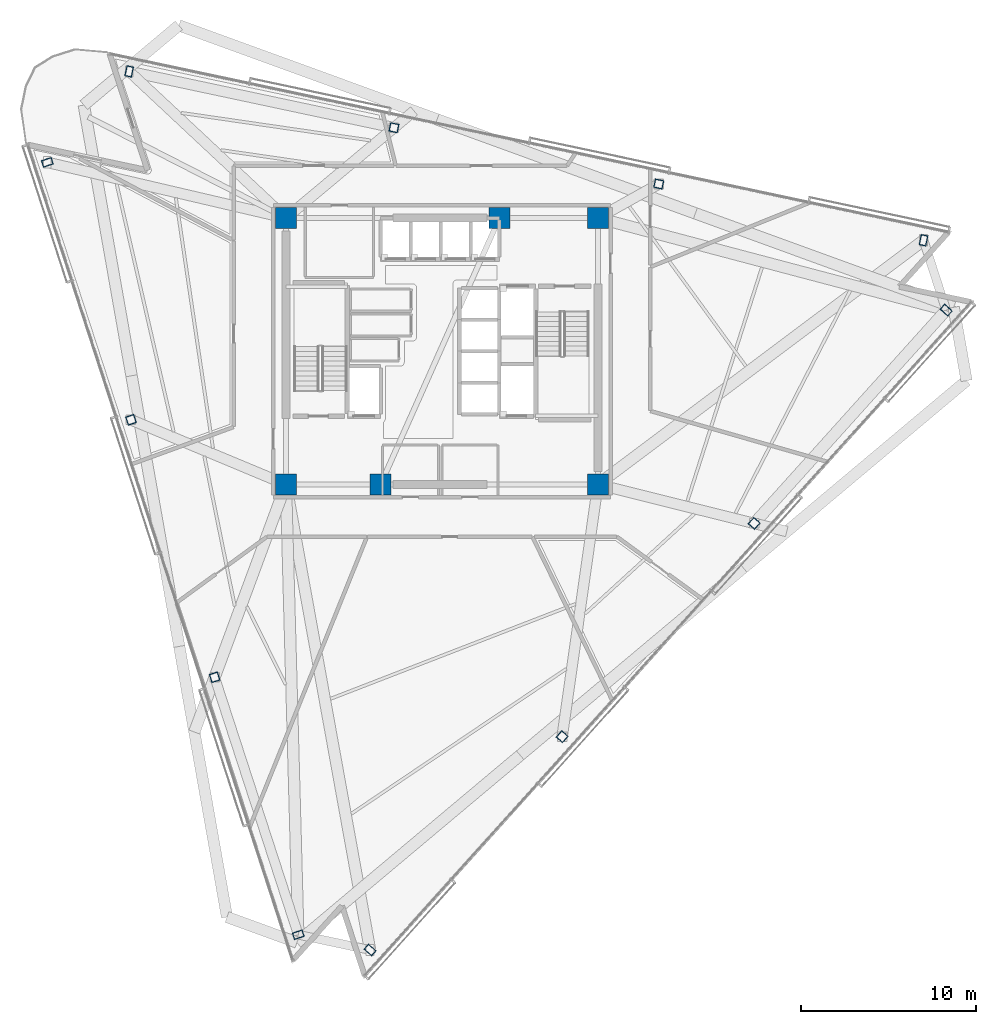
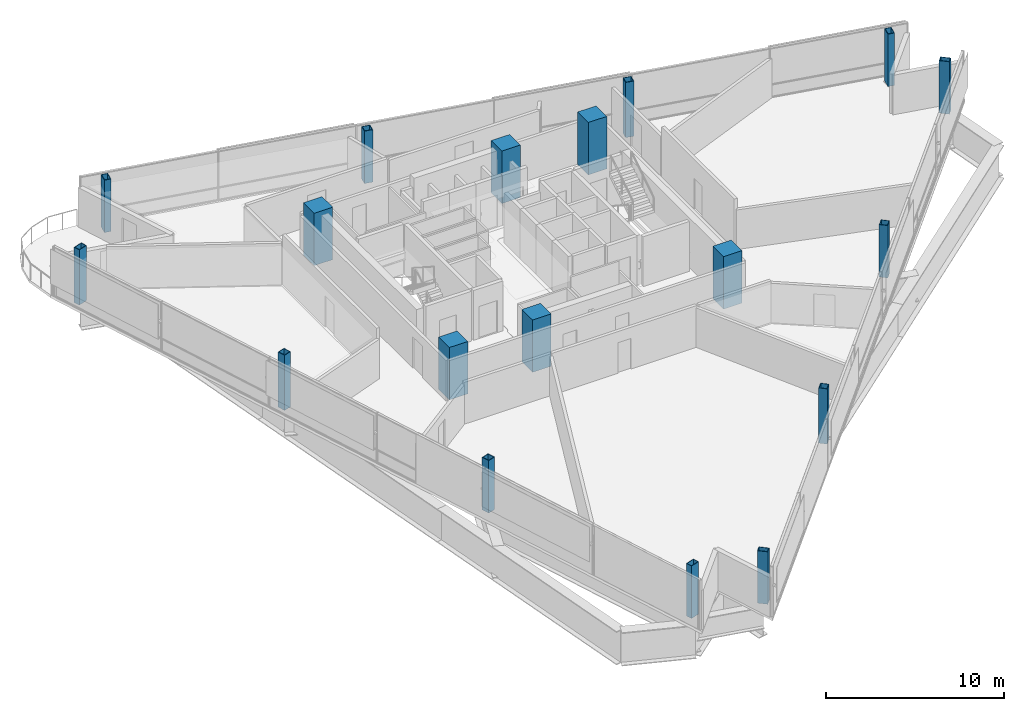
# One storey, part 1 of 17: 18 columns.
"""IFC4 building model written with IfcOpenShell, lengths in metres."""

from ifc_helpers import new_model, si_unit, direction, frame, origin, origin_2d, place, context, subcontext, project, spatial, rectangle, hollow_rectangle, extrude, material, material_profile, profile_set, type_object, element, save


model = new_model("IFC4")

# Units and contexts
model_context = context("Model", 3, precision=1e-05, world=origin(), true_north=direction((0.0, 1.0)))
body_context = subcontext(model_context, "Body", "Model", "MODEL_VIEW")
ifc_project = project(units=[si_unit("LENGTHUNIT", "METRE"), si_unit("AREAUNIT", "SQUARE_METRE"), si_unit("VOLUMEUNIT", "CUBIC_METRE"), si_unit("PLANEANGLEUNIT", "RADIAN"), si_unit("MASSUNIT", "GRAM", prefix="KILO")], contexts=[model_context])

# Site, building, storey
site_placement = place(None, origin())
site = spatial("IfcSite", under=ifc_project, at=site_placement, CompositionType="ELEMENT")
building_placement = place(site_placement, origin())
building = spatial("IfcBuilding", under=site, at=building_placement, Name="Tharavind Bronze Gate", CompositionType="ELEMENT")
storey_placement = place(building_placement, frame((0.0, 0.0, 196.85009765625)))
storey = spatial("IfcBuildingStorey", under=building, at=storey_placement, Name="L50", CompositionType="ELEMENT", Elevation=196.85009765625)

# Columns
ifc_material_1 = material(Name="Steel S460", Category="steel")
ifc_material_profile_1 = material_profile(ifc_material_1, hollow_rectangle(XDim=0.39990234375, YDim=0.60009765625, WallThickness=0.030029296875, at=origin_2d()), Name="RHS600X400X30")
ifc_profile_set_1 = profile_set([ifc_material_profile_1], Name="Steel S460")
column_type_1 = type_object("IfcColumnType", Name="CORNER NOTCH COLUMN RHS600X400", PredefinedType="COLUMN", material=ifc_profile_set_1)
column_1_placement = place(storey_placement, frame((-22.515380859375, 10.77685546875, -0.190185546875), z_axis=(0.0, 0.0, 1.0), x_axis=(-0.309016994375, 0.951056516295, 0.0)))
element("IfcColumn", 1, at=column_1_placement, inside=storey, type_object=column_type_1, Name="L50 perimeter column S1C1", PredefinedType="COLUMN", context=body_context, shape_type="SweptSolid", body=[
    extrude(hollow_rectangle(XDim=0.39990234375, YDim=0.60009765625, WallThickness=0.030029296875, at=origin_2d()), origin(), (0.0, 0.0, 1.0), 3.7900390625),
])
for number, where, z_axis, x_axis, name in (
    (2, (-8.197021484375, -33.29150390625, 0.0), (0.0, 0.0, 1.0), (-0.309016994375, 0.951056516295, 0.0), "L50 perimeter column S1C4"),
    (3, (-4.100341796875, -34.162353515625, 0.0), (0.0, 0.0, 1.0), (0.669130606359, 0.743144825477, 0.0), "L50 perimeter column S2C1"),
    (4, (28.772705078125, 2.34716796875, 0.0), (0.0, 0.0, 1.0), (0.669130606359, 0.743144825477, 0.0), "L50 perimeter column S2C4"),
    (5, (27.478515625, 6.330078125, 0.0), (0.0, 0.0, 1.0), (-0.978147600734, 0.207911690818, 0.0), "L50 perimeter column S3C1"),
    (6, (-17.844970703125, 15.9638671875, 0.0), (0.0, 0.0, 1.0), (-0.978147600734, 0.207911690818, 0.0), "L50 perimeter column S3C4"),
):
    element("IfcColumn", number, at=place(storey_placement, frame(where, z_axis=z_axis, x_axis=x_axis)), inside=storey, type_object=column_type_1, Name=name, PredefinedType="COLUMN", context=body_context, shape_type="SweptSolid", body=[
        extrude(hollow_rectangle(XDim=0.39990234375, YDim=0.60009765625, WallThickness=0.030029296875, at=origin_2d()), origin(), (0.0, 0.0, 1.0), 3.599853515625),
    ])
ifc_material_2 = material(Name="Concrete C60/75", Category="concrete")
ifc_material_profile_2 = material_profile(ifc_material_2, rectangle(XDim=1.199951171875, YDim=1.199951171875, at=origin_2d()), Name="RCCOL1200")
ifc_profile_set_2 = profile_set([ifc_material_profile_2], Name="Concrete C60/75")
column_type_2 = type_object("IfcColumnType", Name="MEGA CORE COLUMN 1200", PredefinedType="COLUMN", material=ifc_profile_set_2)
for number, where, z_axis, x_axis, name in (
    (7, (-8.89990234375, -7.60009765625, 0.0), (0.0, 0.0, 1.0), (1.0, 0.0, 0.0), "L50 core mega column MC1"),
    (8, (-3.5, -7.60009765625, 0.0), (0.0, 0.0, 1.0), (1.0, 0.0, 0.0), "L50 core mega column MC2"),
    (9, (8.89990234375, -7.60009765625, 0.0), (0.0, 0.0, 1.0), (1.0, 0.0, 0.0), "L50 core mega column MC3"),
    (10, (8.89990234375, 7.60009765625, 0.0), (0.0, 0.0, 1.0), (1.0, 0.0, 0.0), "L50 core mega column MC4"),
    (11, (3.280029296875, 7.60009765625, 0.0), (0.0, 0.0, 1.0), (1.0, 0.0, 0.0), "L50 core mega column MC5"),
    (12, (-8.89990234375, 7.60009765625, 0.0), (0.0, 0.0, 1.0), (1.0, 0.0, 0.0), "L50 core mega column MC6"),
):
    element("IfcColumn", number, at=place(storey_placement, frame(where, z_axis=z_axis, x_axis=x_axis)), inside=storey, type_object=column_type_2, Name=name, PredefinedType="COLUMN", context=body_context, shape_type="SweptSolid", body=[
        extrude(rectangle(XDim=1.199951171875, YDim=1.199951171875, at=origin_2d()), origin(), (0.0, 0.0, 1.0), 3.599853515625),
    ])
ifc_material_profile_3 = material_profile(ifc_material_1, hollow_rectangle(XDim=0.5, YDim=0.5, WallThickness=0.031982421875, at=origin_2d()), Name="SHS500X32")
ifc_profile_set_3 = profile_set([ifc_material_profile_3], Name="Steel S460")
column_type_3 = type_object("IfcColumnType", Name="PERIMETER BOX COLUMN SHS500", PredefinedType="COLUMN", material=ifc_profile_set_3)
column_2_placement = place(storey_placement, frame((-17.74267578125, -3.91259765625, -0.190185546875), z_axis=(0.0, 0.0, 1.0), x_axis=(-0.309016994375, 0.951056516295, 0.0)))
element("IfcColumn", 13, at=column_2_placement, inside=storey, type_object=column_type_3, Name="L50 perimeter column S1C2", PredefinedType="COLUMN", context=body_context, shape_type="SweptSolid", body=[
    extrude(hollow_rectangle(XDim=0.5, YDim=0.5, WallThickness=0.031982421875, at=origin_2d()), origin(), (0.0, 0.0, 1.0), 3.7900390625),
])
column_3_placement = place(storey_placement, frame((-12.9697265625, -18.60205078125, 0.0), z_axis=(0.0, 0.0, 1.0), x_axis=(-0.309016994375, 0.951056516295, 0.0)))
element("IfcColumn", 14, at=column_3_placement, inside=storey, type_object=column_type_3, Name="L50 perimeter column S1C3", PredefinedType="COLUMN", context=body_context, shape_type="SweptSolid", body=[
    extrude(hollow_rectangle(XDim=0.5, YDim=0.5, WallThickness=0.031982421875, at=origin_2d()), origin(), (0.0, 0.0, 1.0), 3.599853515625),
])
column_4_placement = place(storey_placement, frame((6.857421875, -21.992431640625, -0.190185546875), z_axis=(0.0, 0.0, 1.0), x_axis=(0.669130606359, 0.743144825477, 0.0)))
element("IfcColumn", 15, at=column_4_placement, inside=storey, type_object=column_type_3, Name="L50 perimeter column S2C2", PredefinedType="COLUMN", context=body_context, shape_type="SweptSolid", body=[
    extrude(hollow_rectangle(XDim=0.5, YDim=0.5, WallThickness=0.031982421875, at=origin_2d()), origin(), (0.0, 0.0, 1.0), 3.7900390625),
])
column_5_placement = place(storey_placement, frame((17.815185546875, -9.82275390625, 0.0), z_axis=(0.0, 0.0, 1.0), x_axis=(0.669130606359, 0.743144825477, 0.0)))
element("IfcColumn", 16, at=column_5_placement, inside=storey, type_object=column_type_3, Name="L50 perimeter column S2C3", PredefinedType="COLUMN", context=body_context, shape_type="SweptSolid", body=[
    extrude(hollow_rectangle(XDim=0.5, YDim=0.5, WallThickness=0.031982421875, at=origin_2d()), origin(), (0.0, 0.0, 1.0), 3.599853515625),
])
column_6_placement = place(storey_placement, frame((12.370849609375, 9.54150390625, -0.190185546875), z_axis=(0.0, 0.0, 1.0), x_axis=(-0.978147600734, 0.207911690818, 0.0)))
element("IfcColumn", 17, at=column_6_placement, inside=storey, type_object=column_type_3, Name="L50 perimeter column S3C2", PredefinedType="COLUMN", context=body_context, shape_type="SweptSolid", body=[
    extrude(hollow_rectangle(XDim=0.5, YDim=0.5, WallThickness=0.031982421875, at=origin_2d()), origin(), (0.0, 0.0, 1.0), 3.7900390625),
])
column_7_placement = place(storey_placement, frame((-2.737060546875, 12.752685546875, 0.0), z_axis=(0.0, 0.0, 1.0), x_axis=(-0.978147600734, 0.207911690818, 0.0)))
element("IfcColumn", 18, at=column_7_placement, inside=storey, type_object=column_type_3, Name="L50 perimeter column S3C3", PredefinedType="COLUMN", context=body_context, shape_type="SweptSolid", body=[
    extrude(hollow_rectangle(XDim=0.5, YDim=0.5, WallThickness=0.031982421875, at=origin_2d()), origin(), (0.0, 0.0, 1.0), 3.599853515625),
])

save(model, "model.ifc")
